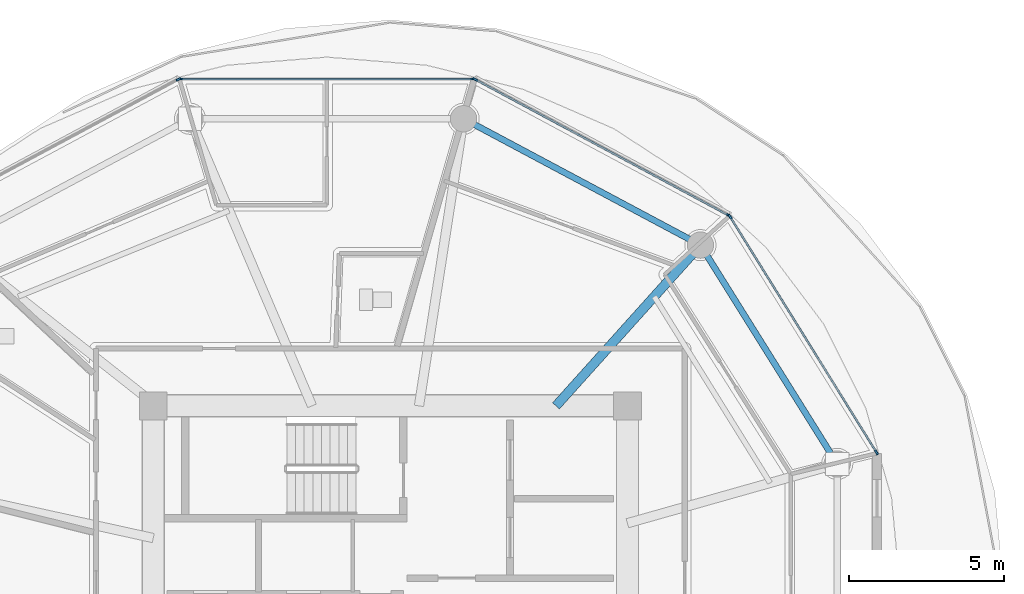
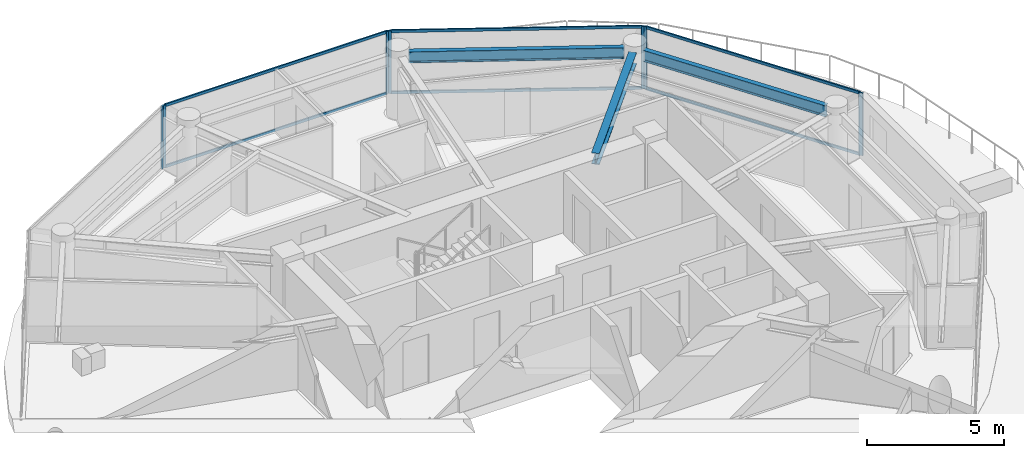
# One storey, part 12 of 32: 13 members, 3 beams, 4 elements without a shape of their own.
"""IFC4 building model written with IfcOpenShell, lengths in metres."""

from ifc_helpers import new_model, si_unit, direction, frame, origin, origin_2d, place, context, subcontext, project, spatial, rectangle, i_section, extrude, source, transform, mapped, material, layer, layer_set, material_profile, profile_set, type_object, type_shapes, element, aggregate, save


model = new_model("IFC4")

# Units and contexts
model_context = context("Model", 3, precision=1e-05, world=origin(), true_north=direction((0.0, 1.0)))
body_context = subcontext(model_context, "Body", "Model", "MODEL_VIEW")
ifc_project = project(units=[si_unit("LENGTHUNIT", "METRE"), si_unit("AREAUNIT", "SQUARE_METRE"), si_unit("VOLUMEUNIT", "CUBIC_METRE"), si_unit("PLANEANGLEUNIT", "RADIAN"), si_unit("MASSUNIT", "GRAM", prefix="KILO")], contexts=[model_context])

# Site, building, storey
site_placement = place(None, origin())
site = spatial("IfcSite", under=ifc_project, at=site_placement, CompositionType="ELEMENT")
building_placement = place(site_placement, origin())
building = spatial("IfcBuilding", under=site, at=building_placement, Name="Norrkilde Senior Care Towers", CompositionType="ELEMENT")
storey_placement = place(building_placement, frame((0.0, 0.0, 77.949951171875)))
storey = spatial("IfcBuildingStorey", under=building, at=storey_placement, Name="L23", CompositionType="ELEMENT", Elevation=77.949951171875)

# Beams
ifc_material_1 = material(Name="Steel S355", Category="steel")
ifc_material_profile_1 = material_profile(ifc_material_1, i_section(OverallWidth=0.199951171875, OverallDepth=0.5, WebThickness=0.01025390625, FlangeThickness=0.01611328125, FilletRadius=0.02099609375, at=origin_2d()), Name="IPE 500")
ifc_profile_set_1 = profile_set([ifc_material_profile_1], Name="Steel S355")
beam_type_1 = type_object("IfcBeamType", Name="Perimeter Ring Spandrel Z2 IPE500", PredefinedType="SPANDREL", material=ifc_profile_set_1)
shared_shape_1 = source(origin(), body_context, "Body", "SweptSolid", [
    extrude(i_section(OverallWidth=0.199951171875, OverallDepth=0.5, WebThickness=0.01025390625, FlangeThickness=0.01611328125, FilletRadius=0.02099609375, at=origin_2d()), origin(), (0.0, 0.0, 1.0), 7.892333984375),
])
beam_1_placement = place(storey_placement, frame((37.66650390625, 11.318115234375, 2.5400390625), z_axis=(-0.882350372282, 0.47059305194, 0.0), x_axis=(-0.47059305194, -0.882350372282, 0.0)))
element("IfcBeam", 1, at=beam_1_placement, inside=storey, type_object=beam_type_1, Name="L23 Drum E Perimeter Spandrel 02", PredefinedType="SPANDREL", context=body_context, shape_type="MappedRepresentation", body=[
    mapped(shared_shape_1, transform((0.0, 0.0, 0.0), x_axis=(1.0, 0.0, 0.0), y_axis=(0.0, 1.0, 0.0), z_axis=(0.0, 0.0, 1.0), scale=1.0)),
])
shared_shape_2 = source(origin(), body_context, "Body", "SweptSolid", [
    extrude(i_section(OverallWidth=0.199951171875, OverallDepth=0.5, WebThickness=0.01025390625, FlangeThickness=0.01611328125, FilletRadius=0.02099609375, at=origin_2d()), origin(), (0.0, 0.0, 1.0), 7.556396484375),
])
type_shapes(beam_type_1, [shared_shape_1, shared_shape_2])
beam_2_placement = place(storey_placement, frame((42.215087890625, 4.40283203125, 2.5400390625), z_axis=(-0.530004748437, 0.847994673706, 0.0), x_axis=(-0.847994673706, -0.530004748437, 0.0)))
element("IfcBeam", 2, at=beam_2_placement, inside=storey, type_object=beam_type_1, Name="L23 Drum E Perimeter Spandrel 01", PredefinedType="SPANDREL", context=body_context, shape_type="MappedRepresentation", body=[
    mapped(shared_shape_2, transform((0.0, 0.0, 0.0), x_axis=(1.0, 0.0, 0.0), y_axis=(0.0, 1.0, 0.0), z_axis=(0.0, 0.0, 1.0), scale=1.0)),
])
ifc_material_profile_2 = material_profile(ifc_material_1, i_section(OverallWidth=0.300048828125, OverallDepth=0.5, WebThickness=0.014404296875, FlangeThickness=0.028076171875, FilletRadius=0.027099609375, at=origin_2d()), Name="HEB 500")
ifc_profile_set_2 = profile_set([ifc_material_profile_2], Name="Steel S355")
beam_type_2 = type_object("IfcBeamType", Name="Radial Floor Beam Z2 HEB500", PredefinedType="BEAM", material=ifc_profile_set_2)
shared_shape_3 = source(origin(), body_context, "Body", "SweptSolid", [
    extrude(i_section(OverallWidth=0.300048828125, OverallDepth=0.5, WebThickness=0.014404296875, FlangeThickness=0.028076171875, FilletRadius=0.027099609375, at=origin_2d()), origin(), (0.0, 0.0, 1.0), 6.587890625),
])
type_shapes(beam_type_2, [shared_shape_3])
beam_3_placement = place(storey_placement, frame((33.345947265625, 5.949951171875, 2.5400390625), z_axis=(0.668315438605, 0.743877997068, 0.0), x_axis=(-0.743877997068, 0.668315438605, 0.0)))
element("IfcBeam", 3, at=beam_3_placement, inside=storey, type_object=beam_type_2, Name="L23 Drum E Radial Floor Beam 02", PredefinedType="BEAM", context=body_context, shape_type="MappedRepresentation", body=[
    mapped(shared_shape_3, transform((0.0, 0.0, 0.0), x_axis=(1.0, 0.0, 0.0), y_axis=(0.0, 1.0, 0.0), z_axis=(0.0, 0.0, 1.0), scale=1.0)),
])

# Curtain wall, members
ifc_material_2 = material(Name="Triple Low-E Insulated Glazing", Category="glass")
ifc_layer = layer(ifc_material_2, 0.195068359375)
ifc_layer_set = layer_set([ifc_layer], Name="Triple Low-E Insulated Glazing")
curtain_wall_type = type_object("IfcCurtainWallType", Name="CW3 Zone 2 Assisted Living Curtain Wall", PredefinedType="NOTDEFINED", material=ifc_layer_set)
curtain_wall_1_placement = place(storey_placement, origin())
curtain_wall_1 = element("IfcCurtainWall", 4, at=curtain_wall_1_placement, inside=storey, type_object=curtain_wall_type, Name="L23 Drum E Curtain Wall 00", PredefinedType="NOTDEFINED")
ifc_material_3 = material(Name="Anodised Aluminium", Category="aluminium")
ifc_material_profile_3 = material_profile(ifc_material_3, rectangle(XDim=0.06494140625, YDim=0.159912109375, at=origin_2d()), Name="ALU MULL 65x160")
ifc_profile_set_3 = profile_set([ifc_material_profile_3], Name="Anodised Aluminium")
member_type_1 = type_object("IfcMemberType", Name="Curtain Wall Mullion Z1-Z2 65x160", PredefinedType="MULLION", material=ifc_profile_set_3)
shared_shape_4 = source(origin(), body_context, "Body", "SweptSolid", [
    extrude(rectangle(XDim=0.06494140625, YDim=0.159912109375, at=origin_2d()), origin(), (0.0, 0.0, 1.0), 2.7900390625),
])
type_shapes(member_type_1, [shared_shape_4])
member_1_placement = place(storey_placement, frame((38.9638671875, 12.0498046875, 0.0), z_axis=(0.0, 0.0, 1.0), x_axis=(0.849410171862, 0.527733228002, 0.0)))
member_1 = element("IfcMember", 5, at=member_1_placement, type_object=member_type_1, Name="CW-3 mullion 1", PredefinedType="MULLION", context=body_context, shape_type="MappedRepresentation", body=[
    mapped(shared_shape_4, transform((0.0, 0.0, 0.0), x_axis=(1.0, 0.0, 0.0), y_axis=(0.0, 1.0, 0.0), z_axis=(0.0, 0.0, 1.0), scale=1.0)),
])
member_2_placement = place(storey_placement, frame((43.6865234375, 4.4482421875, 0.0), z_axis=(0.0, 0.0, 1.0), x_axis=(0.849410171862, 0.527733228002, 0.0)))
member_2 = element("IfcMember", 6, at=member_2_placement, type_object=member_type_1, Name="CW-3 mullion 2", PredefinedType="MULLION", context=body_context, shape_type="MappedRepresentation", body=[
    mapped(shared_shape_4, transform((0.0, 0.0, 0.0), x_axis=(1.0, 0.0, 0.0), y_axis=(0.0, 1.0, 0.0), z_axis=(0.0, 0.0, 1.0), scale=1.0)),
])

curtain_wall_2_placement = place(storey_placement, origin())
curtain_wall_2 = element("IfcCurtainWall", 7, at=curtain_wall_2_placement, inside=storey, type_object=curtain_wall_type, Name="L23 Drum E Curtain Wall 01", PredefinedType="NOTDEFINED")
member_3_placement = place(storey_placement, frame((30.73583984375, 16.482666015625, 0.0), z_axis=(0.0, 0.0, 1.0), x_axis=(0.472769402511, 0.881186184668, 0.0)))
member_3 = element("IfcMember", 8, at=member_3_placement, type_object=member_type_1, Name="CW-3 mullion 1", PredefinedType="MULLION", context=body_context, shape_type="MappedRepresentation", body=[
    mapped(shared_shape_4, transform((0.0, 0.0, 0.0), x_axis=(1.0, 0.0, 0.0), y_axis=(0.0, 1.0, 0.0), z_axis=(0.0, 0.0, 1.0), scale=1.0)),
])
member_4_placement = place(storey_placement, frame((38.91796875, 12.0927734375, 0.0), z_axis=(0.0, 0.0, 1.0), x_axis=(0.472769402511, 0.881186184668, 0.0)))
member_4 = element("IfcMember", 9, at=member_4_placement, type_object=member_type_1, Name="CW-3 mullion 2", PredefinedType="MULLION", context=body_context, shape_type="MappedRepresentation", body=[
    mapped(shared_shape_4, transform((0.0, 0.0, 0.0), x_axis=(1.0, 0.0, 0.0), y_axis=(0.0, 1.0, 0.0), z_axis=(0.0, 0.0, 1.0), scale=1.0)),
])

curtain_wall_3_placement = place(storey_placement, origin())
curtain_wall_3 = element("IfcCurtainWall", 10, at=curtain_wall_3_placement, inside=storey, type_object=curtain_wall_type, Name="L23 Drum E Curtain Wall 02", PredefinedType="NOTDEFINED")
member_5_placement = place(storey_placement, frame((21.225341796875, 16.498046875, 0.0), z_axis=(0.0, 0.0, 1.0), x_axis=(0.0, 1.0, 0.0)))
member_5 = element("IfcMember", 11, at=member_5_placement, type_object=member_type_1, Name="CW-3 mullion 1", PredefinedType="MULLION", context=body_context, shape_type="MappedRepresentation", body=[
    mapped(shared_shape_4, transform((0.0, 0.0, 0.0), x_axis=(1.0, 0.0, 0.0), y_axis=(0.0, 1.0, 0.0), z_axis=(0.0, 0.0, 1.0), scale=1.0)),
])
member_6_placement = place(storey_placement, frame((30.674560546875, 16.498046875, 0.0), z_axis=(0.0, 0.0, 1.0), x_axis=(0.0, 1.0, 0.0)))
member_6 = element("IfcMember", 12, at=member_6_placement, type_object=member_type_1, Name="CW-3 mullion 2", PredefinedType="MULLION", context=body_context, shape_type="MappedRepresentation", body=[
    mapped(shared_shape_4, transform((0.0, 0.0, 0.0), x_axis=(1.0, 0.0, 0.0), y_axis=(0.0, 1.0, 0.0), z_axis=(0.0, 0.0, 1.0), scale=1.0)),
])

# Curtain wall, member
curtain_wall_4_placement = place(storey_placement, origin())
curtain_wall_4 = element("IfcCurtainWall", 13, at=curtain_wall_4_placement, inside=storey, type_object=curtain_wall_type, Name="L23 Drum E Curtain Wall 03", PredefinedType="NOTDEFINED")
member_7_placement = place(storey_placement, frame((21.164306640625, 16.482666015625, 0.0), z_axis=(0.0, 0.0, 1.0), x_axis=(-0.472769402511, 0.881186184668, 0.0)))
member_7 = element("IfcMember", 14, at=member_7_placement, type_object=member_type_1, Name="CW-3 mullion 2", PredefinedType="MULLION", context=body_context, shape_type="MappedRepresentation", body=[
    mapped(shared_shape_4, transform((0.0, 0.0, 0.0), x_axis=(1.0, 0.0, 0.0), y_axis=(0.0, 1.0, 0.0), z_axis=(0.0, 0.0, 1.0), scale=1.0)),
])
aggregate(curtain_wall_4, [member_7])

# Member
ifc_material_profile_4 = material_profile(ifc_material_3, rectangle(XDim=0.06005859375, YDim=0.1201171875, at=origin_2d()), Name="ALU TRAN 60x120")
ifc_profile_set_4 = profile_set([ifc_material_profile_4], Name="Anodised Aluminium")
member_type_2 = type_object("IfcMemberType", Name="Curtain Wall Transom Typical 60x120", PredefinedType="USERDEFINED", material=ifc_profile_set_4)
shared_shape_5 = source(origin(), body_context, "Body", "SweptSolid", [
    extrude(rectangle(XDim=0.06005859375, YDim=0.1201171875, at=origin_2d()), origin(), (0.0, 0.0, 1.0), 8.88427734375),
])
member_8_placement = place(storey_placement, frame((38.98095703125, 12.022216796875, 0.030029296875), z_axis=(0.527729466743, -0.849412508697, 0.0), x_axis=(0.849412508697, 0.527729466743, 0.0)))
member_8 = element("IfcMember", 15, at=member_8_placement, type_object=member_type_2, Name="CW-3 transom 1.1", ObjectType="TRANSOM", PredefinedType="USERDEFINED", context=body_context, shape_type="MappedRepresentation", body=[
    mapped(shared_shape_5, transform((0.0, 0.0, 0.0), x_axis=(1.0, 0.0, 0.0), y_axis=(0.0, 1.0, 0.0), z_axis=(0.0, 0.0, 1.0), scale=1.0)),
])

member_9_placement = place(storey_placement, frame((38.98095703125, 12.022216796875, 2.760009765625), z_axis=(0.527729466743, -0.849412508697, 0.0), x_axis=(0.849412508697, 0.527729466743, 0.0)))
member_9 = element("IfcMember", 16, at=member_9_placement, type_object=member_type_2, Name="CW-3 transom 1.2", ObjectType="TRANSOM", PredefinedType="USERDEFINED", context=body_context, shape_type="MappedRepresentation", body=[
    mapped(shared_shape_5, transform((0.0, 0.0, 0.0), x_axis=(1.0, 0.0, 0.0), y_axis=(0.0, 1.0, 0.0), z_axis=(0.0, 0.0, 1.0), scale=1.0)),
])

aggregate(curtain_wall_1, [member_1, member_2, member_8, member_9])

shared_shape_6 = source(origin(), body_context, "Body", "SweptSolid", [
    extrude(rectangle(XDim=0.06005859375, YDim=0.1201171875, at=origin_2d()), origin(), (0.0, 0.0, 1.0), 9.220458984375),
])
member_10_placement = place(storey_placement, frame((30.764404296875, 16.46728515625, 0.030029296875), z_axis=(0.881188517866, -0.472765053681, 0.0), x_axis=(0.472765053681, 0.881188517866, 0.0)))
member_10 = element("IfcMember", 17, at=member_10_placement, type_object=member_type_2, Name="CW-3 transom 1.1", ObjectType="TRANSOM", PredefinedType="USERDEFINED", context=body_context, shape_type="MappedRepresentation", body=[
    mapped(shared_shape_6, transform((0.0, 0.0, 0.0), x_axis=(1.0, 0.0, 0.0), y_axis=(0.0, 1.0, 0.0), z_axis=(0.0, 0.0, 1.0), scale=1.0)),
])

member_11_placement = place(storey_placement, frame((30.764404296875, 16.46728515625, 2.760009765625), z_axis=(0.881188517866, -0.472765053681, 0.0), x_axis=(0.472765053681, 0.881188517866, 0.0)))
member_11 = element("IfcMember", 18, at=member_11_placement, type_object=member_type_2, Name="CW-3 transom 1.2", ObjectType="TRANSOM", PredefinedType="USERDEFINED", context=body_context, shape_type="MappedRepresentation", body=[
    mapped(shared_shape_6, transform((0.0, 0.0, 0.0), x_axis=(1.0, 0.0, 0.0), y_axis=(0.0, 1.0, 0.0), z_axis=(0.0, 0.0, 1.0), scale=1.0)),
])

aggregate(curtain_wall_2, [member_3, member_4, member_10, member_11])

shared_shape_7 = source(origin(), body_context, "Body", "SweptSolid", [
    extrude(rectangle(XDim=0.06005859375, YDim=0.1201171875, at=origin_2d()), origin(), (0.0, 0.0, 1.0), 9.38427734375),
])
type_shapes(member_type_2, [shared_shape_5, shared_shape_6, shared_shape_7])
member_12_placement = place(storey_placement, frame((21.2578125, 16.498046875, 0.030029296875), z_axis=(1.0, 0.0, 0.0), x_axis=(0.0, 1.0, 0.0)))
member_12 = element("IfcMember", 19, at=member_12_placement, type_object=member_type_2, Name="CW-3 transom 1.1", ObjectType="TRANSOM", PredefinedType="USERDEFINED", context=body_context, shape_type="MappedRepresentation", body=[
    mapped(shared_shape_7, transform((0.0, 0.0, 0.0), x_axis=(1.0, 0.0, 0.0), y_axis=(0.0, 1.0, 0.0), z_axis=(0.0, 0.0, 1.0), scale=1.0)),
])

member_13_placement = place(storey_placement, frame((21.2578125, 16.498046875, 2.760009765625), z_axis=(1.0, 0.0, 0.0), x_axis=(0.0, 1.0, 0.0)))
member_13 = element("IfcMember", 20, at=member_13_placement, type_object=member_type_2, Name="CW-3 transom 1.2", ObjectType="TRANSOM", PredefinedType="USERDEFINED", context=body_context, shape_type="MappedRepresentation", body=[
    mapped(shared_shape_7, transform((0.0, 0.0, 0.0), x_axis=(1.0, 0.0, 0.0), y_axis=(0.0, 1.0, 0.0), z_axis=(0.0, 0.0, 1.0), scale=1.0)),
])

aggregate(curtain_wall_3, [member_5, member_6, member_12, member_13])

save(model, "model.ifc")
